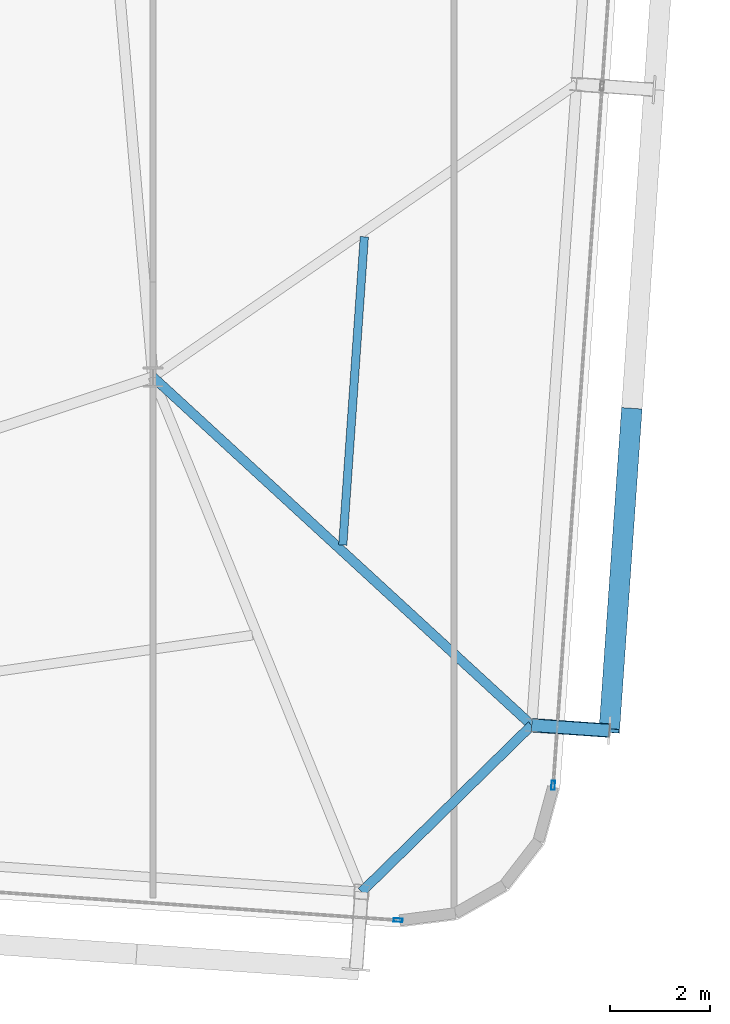
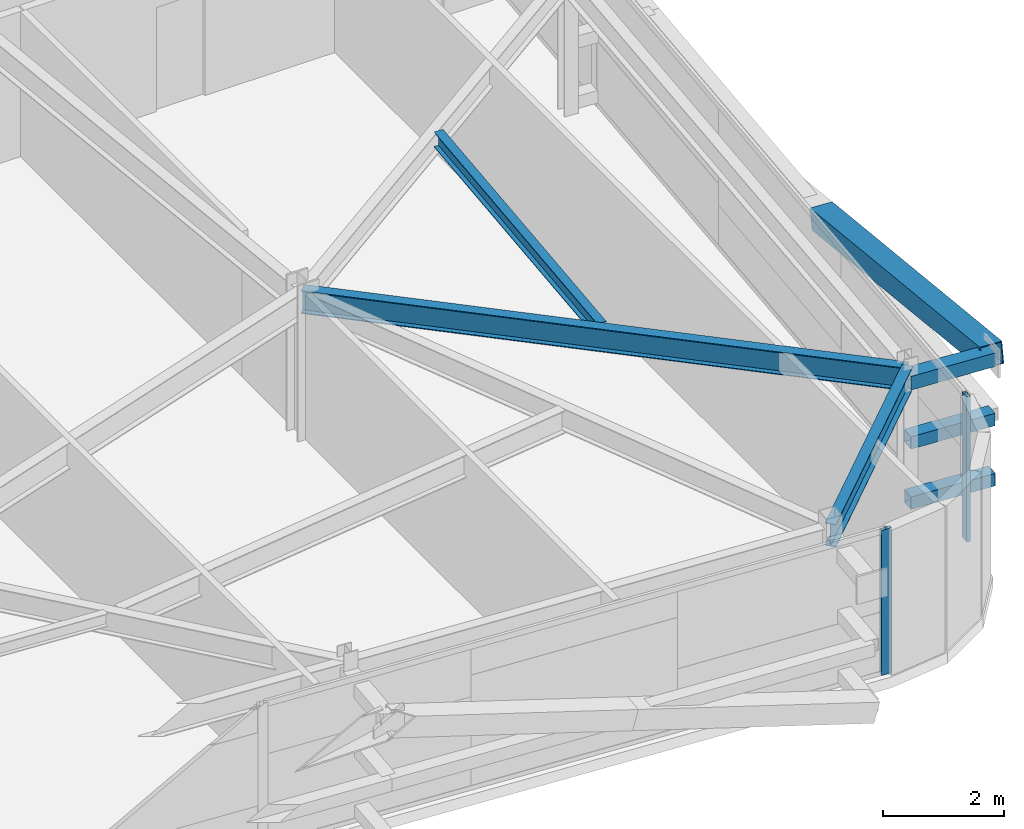
# One storey, part 15 of 39: 6 members, 3 beams, 2 elements without a shape of their own.
"""IFC4 building model written with IfcOpenShell, lengths in metres."""

import ifcopenshell
import ifcopenshell.guid

model = None  # the IFC model being written
_history = None  # IfcOwnerHistory: only IFC2X3 demands one
_inside = {}  # id of a spatial element -> (the spatial element, [elements in it])
_under = {}  # id of a project, library or spatial element -> (it, [spatial elements below it])
_declared = {}  # id of a project -> (the project, [libraries it declares])
_typed = {}  # id of a type object -> (the type object, [elements of that type])
_made_of = {}  # id of a material, layer set ... -> (it, [elements and type objects made of it])


def new_model(schema):
    """Start an empty IFC model of exactly this schema.

    Asked for "IFC4X3", IfcOpenShell would pick the latest addendum, in which some entities
    have other attributes; the version numbers below select the first issue.
    IFC2X3 requires an IfcOwnerHistory on every rooted entity: one is made here for all.
    """
    global model, _history
    if schema == "IFC4X3":
        model = ifcopenshell.file(schema_version=(4, 3, 0, 0))
    else:
        model = ifcopenshell.file(schema=schema)
    _inside.clear()
    _under.clear()
    _declared.clear()
    _typed.clear()
    _made_of.clear()
    _history = None
    if model.schema == "IFC2X3":
        org = make("IfcOrganization", Name="unknown")
        user = make(
            "IfcPersonAndOrganization",
            ThePerson=make("IfcPerson", FamilyName="unknown"),
            TheOrganization=org,
        )
        app = make(
            "IfcApplication",
            ApplicationDeveloper=org,
            Version="unknown",
            ApplicationFullName="unknown",
            ApplicationIdentifier="unknown",
        )
        _history = make(
            "IfcOwnerHistory",
            OwningUser=user,
            OwningApplication=app,
            ChangeAction="ADDED",
            CreationDate=0,
        )
    return model


def make(cls, **values):
    """One entity of the class cls with the attributes given. An attribute that is None is left unset."""
    return model.create_entity(
        cls, **{name: value for name, value in values.items() if value is not None}
    )


def rooted(cls, **values):
    """An entity with a GlobalId (a new one), such as an element, a storey or a relation."""
    return make(cls, GlobalId=ifcopenshell.guid.new(), OwnerHistory=_history, **values)


def si_unit(unit_type, name, prefix=None):
    """IfcSIUnit, for example si_unit("LENGTHUNIT", "METRE", prefix="MILLI")."""
    return make("IfcSIUnit", UnitType=unit_type, Prefix=prefix, Name=name)


def assignment(units):
    """IfcUnitAssignment: the units of a project."""
    return None if units is None else make("IfcUnitAssignment", Units=units)


def point(xyz):
    """IfcCartesianPoint."""
    return None if xyz is None else make("IfcCartesianPoint", Coordinates=xyz)


def direction(xyz):
    """IfcDirection."""
    return None if xyz is None else make("IfcDirection", DirectionRatios=xyz)


def frame(location, z_axis=None, x_axis=None):
    """IfcAxis2Placement3D, a coordinate frame: its origin and axes. An axis left out is left unset."""
    return make(
        "IfcAxis2Placement3D",
        Location=point(location),
        Axis=direction(z_axis),
        RefDirection=direction(x_axis),
    )


def frame_2d(location, x_axis=None):
    """IfcAxis2Placement2D, a coordinate frame in the plane: its origin and x axis."""
    return make(
        "IfcAxis2Placement2D", Location=point(location), RefDirection=direction(x_axis)
    )


def origin():
    """The frame at (0, 0, 0) with its axes left unset."""
    return frame((0.0, 0.0, 0.0))


def origin_2d():
    """The frame at (0, 0) in the plane with its x axis left unset."""
    return frame_2d((0.0, 0.0))


def place(relative_to, where):
    """IfcLocalPlacement: puts the frame where relative to a parent placement (None: the world)."""
    return make(
        "IfcLocalPlacement", PlacementRelTo=relative_to, RelativePlacement=where
    )


def context(
    kind, dimensions, precision=None, world=None, true_north=None, identifier=None
):
    """IfcGeometricRepresentationContext, for example the 3D "Model" context."""
    return make(
        "IfcGeometricRepresentationContext",
        ContextIdentifier=identifier,
        ContextType=kind,
        CoordinateSpaceDimension=dimensions,
        Precision=precision,
        WorldCoordinateSystem=world,
        TrueNorth=true_north,
    )


def subcontext(parent, identifier, kind, view, scale=None):
    """IfcGeometricRepresentationSubContext, for example "Body" below "Model"."""
    return make(
        "IfcGeometricRepresentationSubContext",
        ContextIdentifier=identifier,
        ContextType=kind,
        ParentContext=parent,
        TargetScale=scale,
        TargetView=view,
    )


def project(units=None, contexts=None):
    """IfcProject with its units and contexts."""
    return rooted(
        "IfcProject",
        Name="project",
        RepresentationContexts=contexts,
        UnitsInContext=assignment(units),
    )


def spatial(cls, under=None, at=None, **own):
    """A site, building, storey or space (cls), placed at a placement, below another one or the project."""
    s = rooted(cls, ObjectPlacement=at, **own)
    if under is not None:
        _under.setdefault(under.id(), (under, []))[1].append(s)
    return s


def profile(cls, at=None, kind="AREA", **sizes):
    """A parametric profile (cls). Its sizes go by their IFC names, for example OverallWidth=200.0."""
    return make(cls, ProfileType=kind, Position=at, **sizes)


def hollow_rectangle(**sizes):
    """IfcRectangleHollowProfileDef."""
    return profile("IfcRectangleHollowProfileDef", **sizes)


def i_section(**sizes):
    """IfcIShapeProfileDef."""
    return profile("IfcIShapeProfileDef", **sizes)


def extrude(swept, where, along, depth):
    """IfcExtrudedAreaSolid: the profile swept, set in the frame where, extruded along a direction by depth."""
    return make(
        "IfcExtrudedAreaSolid",
        SweptArea=swept,
        Position=where,
        ExtrudedDirection=direction(along),
        Depth=depth,
    )


def shape(context_of_items, identifier, shape_type, items):
    """IfcShapeRepresentation: the items that make up one representation, for example the "Body"."""
    return make(
        "IfcShapeRepresentation",
        ContextOfItems=context_of_items,
        RepresentationIdentifier=identifier,
        RepresentationType=shape_type,
        Items=items,
    )


def source(mapping_origin, context_of_items, identifier, shape_type, items):
    """IfcRepresentationMap: a shape defined once, which mapped items show again and again."""
    return make(
        "IfcRepresentationMap",
        MappingOrigin=mapping_origin,
        MappedRepresentation=shape(context_of_items, identifier, shape_type, items),
    )


def transform(
    local_origin,
    x_axis=None,
    y_axis=None,
    z_axis=None,
    scale=None,
    scale2=None,
    scale3=None,
    uniform=True,
):
    """IfcCartesianTransformationOperator3D, or its non-uniform kind. x_axis, y_axis, z_axis: its Axis1, 2, 3."""
    if uniform:
        return make(
            "IfcCartesianTransformationOperator3D",
            Axis1=direction(x_axis),
            Axis2=direction(y_axis),
            LocalOrigin=point(local_origin),
            Scale=scale,
            Axis3=direction(z_axis),
        )
    return make(
        "IfcCartesianTransformationOperator3DnonUniform",
        Axis1=direction(x_axis),
        Axis2=direction(y_axis),
        LocalOrigin=point(local_origin),
        Scale=scale,
        Axis3=direction(z_axis),
        Scale2=scale2,
        Scale3=scale3,
    )


def mapped(mapping_source, mapping_target):
    """IfcMappedItem: shows the shape of a source again, moved by a transform."""
    return make(
        "IfcMappedItem", MappingSource=mapping_source, MappingTarget=mapping_target
    )


def material(Name=None, Category=None):
    """IfcMaterial."""
    return make("IfcMaterial", Name=Name, Category=Category)


def layer(
    of_material, thickness, ventilated=None, Name=None, Category=None, Priority=None
):
    """IfcMaterialLayer: one layer of a wall or slab, of a material (None: an air gap)."""
    return make(
        "IfcMaterialLayer",
        Material=of_material,
        LayerThickness=thickness,
        IsVentilated=ventilated,
        Name=Name,
        Category=Category,
        Priority=Priority,
    )


def layer_set(layers, Name=None):
    """IfcMaterialLayerSet."""
    return make("IfcMaterialLayerSet", MaterialLayers=layers, LayerSetName=Name)


def material_profile(
    of_material, cross_section, Name=None, Category=None, Priority=None
):
    """IfcMaterialProfile: a cross section and its material."""
    return make(
        "IfcMaterialProfile",
        Name=Name,
        Material=of_material,
        Profile=cross_section,
        Priority=Priority,
        Category=Category,
    )


def profile_set(profiles, Name=None, composite=None):
    """IfcMaterialProfileSet."""
    return make(
        "IfcMaterialProfileSet",
        Name=Name,
        MaterialProfiles=profiles,
        CompositeProfile=composite,
    )


def made_of(thing, what):
    """Note that an element or type object is made of a material, layer set ...; save() writes the relation."""
    if what is not None:
        _made_of.setdefault(what.id(), (what, []))[1].append(thing)
    return thing


def type_object(cls, material=None, **own):
    """A type object (cls), such as IfcWallType, which elements share."""
    return made_of(rooted(cls, **own), material)


def element(
    cls,
    number,
    at=None,
    inside=None,
    cuts=None,
    type_object=None,
    material=None,
    context=None,
    identifier="Body",
    shape_type=None,
    held_by="IfcProductDefinitionShape",
    body=None,
    shapes=None,
    **own,
):
    """One element of the class cls, such as IfcWall. Its Tag is "e" and its number.

    at: its placement. inside: the storey or other place that contains it. cuts: it is an
    opening in that element (IfcRelVoidsElement). A single representation is given by context,
    identifier, shape_type and body (its items); several are given by shapes. held_by: the class
    of the entity that holds the representations. save() writes the other relations.
    """
    e = rooted(cls, Tag="e%d" % number, ObjectPlacement=at, **own)
    if body is not None:
        shapes = [shape(context, identifier, shape_type, body)]
    if shapes is not None:
        e.Representation = make(held_by, Representations=shapes)
    if inside is not None:
        _inside.setdefault(inside.id(), (inside, []))[1].append(e)
    if cuts is not None:
        rooted(
            "IfcRelVoidsElement", RelatingBuildingElement=cuts, RelatedOpeningElement=e
        )
    if type_object is not None:
        _typed.setdefault(type_object.id(), (type_object, []))[1].append(e)
    return made_of(e, material)


def aggregate(whole, parts):
    """IfcRelAggregates: a whole, such as a stair, and the parts it consists of."""
    return rooted("IfcRelAggregates", RelatingObject=whole, RelatedObjects=parts)


def save(model, path):
    """Write the relations noted so far, then the file.

    IfcRelAggregates (storeys below a building ...), IfcRelContainedInSpatialStructure (elements
    in a storey), IfcRelDefinesByType, IfcRelAssociatesMaterial and IfcRelDeclares: one each for
    every whole, place, type object, material and project.
    """
    for whole, parts in _under.values():
        aggregate(whole, parts)
    for where, things in _inside.values():
        rooted(
            "IfcRelContainedInSpatialStructure",
            RelatedElements=things,
            RelatingStructure=where,
        )
    for kind, things in _typed.values():
        rooted("IfcRelDefinesByType", RelatedObjects=things, RelatingType=kind)
    for what, things in _made_of.values():
        rooted("IfcRelAssociatesMaterial", RelatedObjects=things, RelatingMaterial=what)
    for by, libraries in _declared.values():
        rooted("IfcRelDeclares", RelatingContext=by, RelatedDefinitions=libraries)
    model.write(path)


model = new_model("IFC4")

# Units and contexts
model_context = context("Model", 3, precision=1e-05, world=origin(), true_north=direction((0.0, 1.0)))
body_context = subcontext(model_context, "Body", "Model", "MODEL_VIEW")
ifc_project = project(units=[si_unit("LENGTHUNIT", "METRE"), si_unit("AREAUNIT", "SQUARE_METRE"), si_unit("VOLUMEUNIT", "CUBIC_METRE"), si_unit("PLANEANGLEUNIT", "RADIAN"), si_unit("MASSUNIT", "GRAM", prefix="KILO")], contexts=[model_context])

# Site, building, storey
site_placement = place(None, origin())
site = spatial("IfcSite", under=ifc_project, at=site_placement, CompositionType="ELEMENT")
building_placement = place(site_placement, origin())
building = spatial("IfcBuilding", under=site, at=building_placement, Name="Taldren Reach Tower", CompositionType="ELEMENT")
storey_placement = place(building_placement, frame((0.0, 0.0, 123.550048828125)))
storey = spatial("IfcBuildingStorey", under=building, at=storey_placement, Name="L37", CompositionType="ELEMENT", Elevation=123.550048828125)

# Members
ifc_material_1 = material(Name="Steel Gr 450 (C450L0)", Category="steel")
ifc_material_profile_1 = material_profile(ifc_material_1, hollow_rectangle(XDim=0.27490234375, YDim=0.27490234375, WallThickness=0.00927734375, at=origin_2d()), Name="275x275x9.3SHS")
ifc_profile_set_1 = profile_set([ifc_material_profile_1], Name="Steel Gr 450 (C450L0)")
member_type_1 = type_object("IfcMemberType", Name="MB-TIE273", PredefinedType="STRUT", material=ifc_profile_set_1)
shared_shape_1 = source(origin(), body_context, "Body", "SweptSolid", [
    extrude(hollow_rectangle(XDim=0.27490234375, YDim=0.27490234375, WallThickness=0.00927734375, at=origin_2d()), origin(), (0.0, 0.0, 1.0), 1.5498046875),
])
member_1_placement = place(storey_placement, frame((59.54541015625, 5.562744140625, 2.64990234375), z_axis=(0.997573320145, -0.069623781384, 0.0), x_axis=(0.069623781384, 0.997573320145, 0.0)))
element("IfcMember", 1, at=member_1_placement, inside=storey, type_object=member_type_1, Name="Exoskeleton diaphragm tie strut B3-E1 L37", PredefinedType="STRUT", context=body_context, shape_type="MappedRepresentation", body=[
    mapped(shared_shape_1, transform((0.0, 0.0, 0.0), scale=1.0)),
])
ifc_material_2 = material(Name="Steel Gr 350 (C350L0)", Category="steel")
ifc_material_profile_2 = material_profile(ifc_material_2, hollow_rectangle(XDim=0.25, YDim=0.25, WallThickness=0.010009765625, at=origin_2d()), Name="250x250x10.0SHS")
ifc_profile_set_2 = profile_set([ifc_material_profile_2], Name="Steel Gr 350 (C350L0)")
member_type_2 = type_object("IfcMemberType", Name="MB-POST250", PredefinedType="POST", material=ifc_profile_set_2)
shared_shape_2 = source(origin(), body_context, "Body", "SweptSolid", [
    extrude(hollow_rectangle(XDim=0.25, YDim=0.25, WallThickness=0.010009765625, at=origin_2d()), origin(), (0.0, 0.0, 1.0), 1.5498046875),
])
for number, where, z_axis, x_axis, name in (
    (2, (59.54541015625, 5.562744140625, 0.219970703125), (0.997573320145, -0.069623781384, 0.0), (0.069623781384, 0.997573320145, 0.0), "Exoskeleton base diaphragm tie strut B3-E1 L37"),
    (3, (59.54541015625, 5.562744140625, 1.43505859375), (0.997573320145, -0.069623781384, 0.0), (0.069623781384, 0.997573320145, 0.0), "Exoskeleton mid-tier diaphragm tie B3-E1 L37"),
):
    element("IfcMember", number, at=place(storey_placement, frame(where, z_axis=z_axis, x_axis=x_axis)), inside=storey, type_object=member_type_2, Name=name, PredefinedType="POST", context=body_context, shape_type="MappedRepresentation", body=[
        mapped(shared_shape_2, transform((0.0, 0.0, 0.0), scale=1.0)),
    ])

# Beams
ifc_material_3 = material(Name="Steel Gr 350 (350PLUS)", Category="steel")
ifc_material_profile_3 = material_profile(ifc_material_3, i_section(OverallWidth=0.18994140625, OverallDepth=0.4541015625, WebThickness=0.008544921875, FlangeThickness=0.0126953125, at=origin_2d()), Name="460UB67.1")
ifc_profile_set_3 = profile_set([ifc_material_profile_3], Name="Steel Gr 350 (350PLUS)")
beam_type_1 = type_object("IfcBeamType", Name="SP-UB460B", PredefinedType="SPANDREL", material=ifc_profile_set_3)
shared_shape_3 = source(origin(), body_context, "Body", "SweptSolid", [
    extrude(i_section(OverallWidth=0.18994140625, OverallDepth=0.4541015625, WebThickness=0.008544921875, FlangeThickness=0.0126953125, at=origin_2d()), origin(), (0.0, 0.0, 1.0), 4.745849609375),
])
beam_1_placement = place(storey_placement, frame((56.155517578125, 2.2412109375, 2.702880859375), z_axis=(0.714271982806, 0.699868226581, 0.0), x_axis=(-0.699868226581, 0.714271982806, 0.0)))
element("IfcBeam", 4, at=beam_1_placement, inside=storey, type_object=beam_type_1, Name="Perimeter spandrel B3 S6-E1 L37", PredefinedType="SPANDREL", context=body_context, shape_type="MappedRepresentation", body=[
    mapped(shared_shape_3, transform((0.0, 0.0, 0.0), scale=1.0)),
])
ifc_material_profile_4 = material_profile(ifc_material_3, i_section(OverallWidth=0.19091796875, OverallDepth=0.4599609375, WebThickness=0.010009765625, FlangeThickness=0.01611328125, at=origin_2d()), Name="460UB82.1")
ifc_profile_set_4 = profile_set([ifc_material_profile_4], Name="Steel Gr 350 (350PLUS)")
beam_type_2 = type_object("IfcBeamType", Name="BM-UB460A", PredefinedType="BEAM", material=ifc_profile_set_4)
shared_shape_4 = source(origin(), body_context, "Body", "SweptSolid", [
    extrude(i_section(OverallWidth=0.19091796875, OverallDepth=0.4599609375, WebThickness=0.010009765625, FlangeThickness=0.01611328125, at=origin_2d()), origin(), (0.0, 0.0, 1.0), 10.249755859375),
])
beam_2_placement = place(storey_placement, frame((52.0, 12.5, 2.699951171875), z_axis=(0.736150772628, -0.676817582483, 0.0), x_axis=(0.676817582483, 0.736150772628, 0.0)))
element("IfcBeam", 5, at=beam_2_placement, inside=storey, type_object=beam_type_2, Name="Primary floor girder B3-E1 L37", PredefinedType="BEAM", context=body_context, shape_type="MappedRepresentation", body=[
    mapped(shared_shape_4, transform((0.0, 0.0, 0.0), scale=1.0)),
])
ifc_material_4 = material(Name="Steel Gr 300 (300PLUS, 300 MPa)", Category="steel")
ifc_material_profile_5 = material_profile(ifc_material_4, i_section(OverallWidth=0.166015625, OverallDepth=0.306884765625, WebThickness=0.006591796875, FlangeThickness=0.01171875, at=origin_2d()), Name="310UB46.2")
ifc_profile_set_5 = profile_set([ifc_material_profile_5], Name="Steel Gr 300 (300PLUS, 300 MPa)")
beam_type_3 = type_object("IfcBeamType", Name="JS-UB310", PredefinedType="JOIST", material=ifc_profile_set_5)
shared_shape_5 = source(origin(), body_context, "Body", "SweptSolid", [
    extrude(i_section(OverallWidth=0.166015625, OverallDepth=0.306884765625, WebThickness=0.006591796875, FlangeThickness=0.01171875, at=origin_2d()), origin(), (0.0, 0.0, 1.0), 6.155517578125),
])
beam_3_placement = place(storey_placement, frame((55.78125, 9.1533203125, 2.7763671875), z_axis=(0.069764400024, 0.997563495969, 0.0), x_axis=(-0.997563495969, 0.069764400024, 0.0)))
element("IfcBeam", 6, at=beam_3_placement, inside=storey, type_object=beam_type_3, Name="Secondary floor joist B3 J7 L37", PredefinedType="JOIST", context=body_context, shape_type="MappedRepresentation", body=[
    mapped(shared_shape_5, transform((0.0, 0.0, 0.0), scale=1.0)),
])

# Member
ifc_material_profile_6 = material_profile(ifc_material_1, hollow_rectangle(XDim=0.409912109375, YDim=0.409912109375, WallThickness=0.01611328125, at=origin_2d()), Name="410x410x16.0SHS")
ifc_profile_set_6 = profile_set([ifc_material_profile_6], Name="Steel Gr 450 (C450L0)")
member_type_3 = type_object("IfcMemberType", Name="MB-EXO406", PredefinedType="BRACE", material=ifc_profile_set_6)
shared_shape_6 = source(origin(), body_context, "Body", "SweptSolid", [
    extrude(hollow_rectangle(XDim=0.409912109375, YDim=0.409912109375, WallThickness=0.01611328125, at=origin_2d()), origin(), (0.0, 0.0, 1.0), 6.51416015625),
])
member_2_placement = place(storey_placement, frame((61.5380859375, 11.839111328125, 1.43505859375), z_axis=(-0.068548123702, -0.980062020128, 0.186492872358), x_axis=(0.997562951496, -0.069772185021, 0.0)))
element("IfcMember", 7, at=member_2_placement, inside=storey, type_object=member_type_3, Name="Exoskeleton Diagrid Brace B3-E1 L37", PredefinedType="BRACE", context=body_context, shape_type="MappedRepresentation", body=[
    mapped(shared_shape_6, transform((0.0, 0.0, 0.0), scale=1.0)),
])

# Curtain wall, member
ifc_material_5 = material(Name="Aluminium and Low-E Glass Unitised System", Category="aluminium")
ifc_layer = layer(ifc_material_5, 0.159912109375)
ifc_layer_set = layer_set([ifc_layer], Name="Aluminium and Low-E Glass Unitised System")
curtain_wall_type = type_object("IfcCurtainWallType", Name="CW-SYS-4", PredefinedType="NOTDEFINED", material=ifc_layer_set)
curtain_wall_1_placement = place(storey_placement, origin())
curtain_wall_1 = element("IfcCurtainWall", 8, at=curtain_wall_1_placement, inside=storey, type_object=curtain_wall_type, Name="Unitised curtain wall CW-L37-S", PredefinedType="NOTDEFINED")
ifc_material_6 = material(Name="Anodised Aluminium 6063-T6", Category="aluminium")
ifc_material_profile_7 = material_profile(ifc_material_6, hollow_rectangle(XDim=0.070068359375, YDim=0.179931640625, WallThickness=0.00390625, at=origin_2d()), Name="ALU-180x70x4RHS")
ifc_profile_set_7 = profile_set([ifc_material_profile_7], Name="Anodised Aluminium 6063-T6")
member_type_4 = type_object("IfcMemberType", Name="CW-MUL-180", PredefinedType="MULLION", material=ifc_profile_set_7)
shared_shape_7 = source(origin(), body_context, "Body", "SweptSolid", [
    extrude(hollow_rectangle(XDim=0.070068359375, YDim=0.179931640625, WallThickness=0.00390625, at=origin_2d()), origin(), (0.0, 0.0, 1.0), 2.929931640625),
])
member_3_placement = place(storey_placement, frame((56.883056640625, 1.67919921875, 0.0), z_axis=(0.0, 0.0, 1.0), x_axis=(0.06975651593, 0.99756404731, 0.0)))
member_3 = element("IfcMember", 9, at=member_3_placement, type_object=member_type_4, Name="CW-4 mullion 5", PredefinedType="MULLION", context=body_context, shape_type="MappedRepresentation", body=[
    mapped(shared_shape_7, transform((0.0, 0.0, 0.0), scale=1.0)),
])
aggregate(curtain_wall_1, [member_3])

curtain_wall_2_placement = place(storey_placement, origin())
curtain_wall_2 = element("IfcCurtainWall", 10, at=curtain_wall_2_placement, inside=storey, type_object=curtain_wall_type, Name="Unitised curtain wall CW-L37-E", PredefinedType="NOTDEFINED")
member_4_placement = place(storey_placement, frame((59.972900390625, 4.365234375, 0.0), z_axis=(0.0, 0.0, 1.0), x_axis=(-0.997564052812, 0.069756437251, 0.0)))
member_4 = element("IfcMember", 11, at=member_4_placement, type_object=member_type_4, Name="CW-4 mullion 1", PredefinedType="MULLION", context=body_context, shape_type="MappedRepresentation", body=[
    mapped(shared_shape_7, transform((0.0, 0.0, 0.0), scale=1.0)),
])
aggregate(curtain_wall_2, [member_4])

save(model, "model.ifc")
